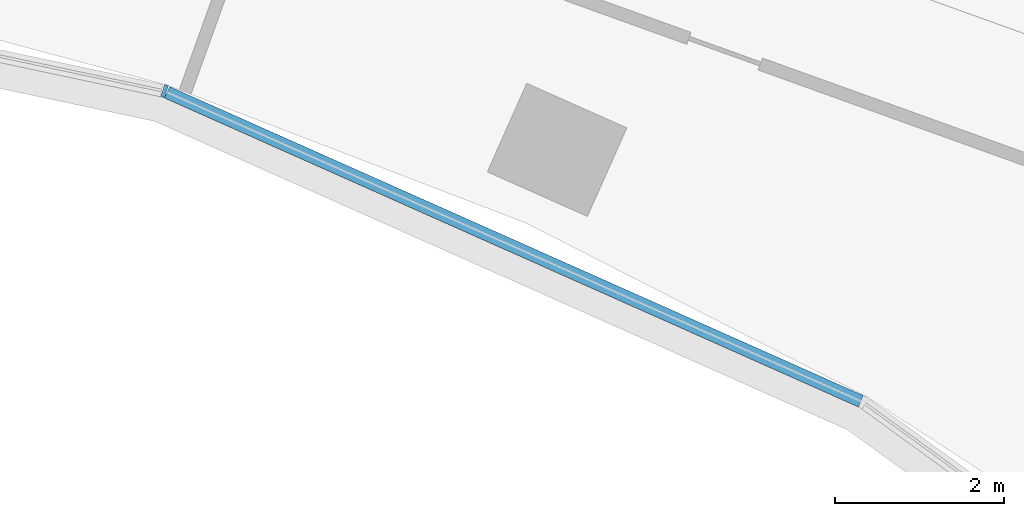
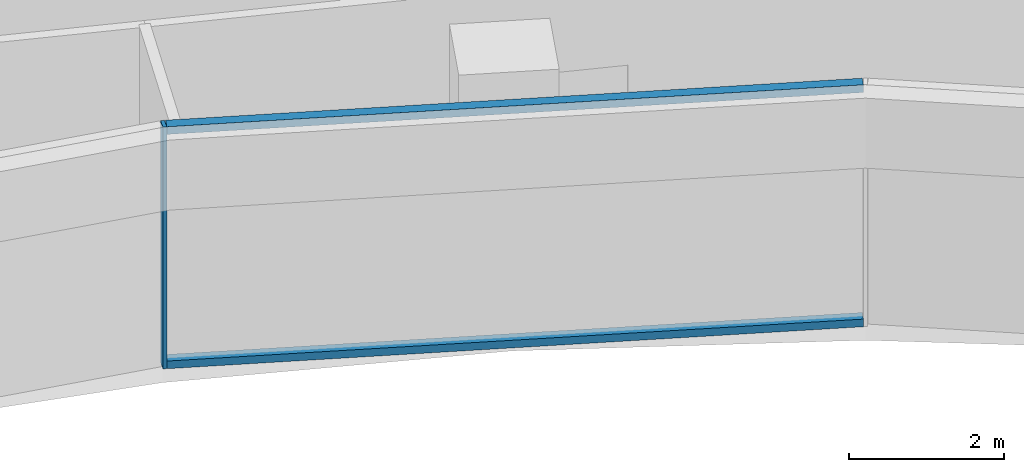
# One storey, part 10 of 23: 3 members, 1 element without a shape of its own.
"""IFC4 building model written with IfcOpenShell, lengths in metres."""

from ifc_helpers import new_model, si_unit, direction, frame, origin, origin_2d, place, context, subcontext, project, spatial, rectangle, extrude, material, layer, layer_set, material_profile, profile_set, type_object, element, aggregate, save


model = new_model("IFC4")

# Units and contexts
model_context = context("Model", 3, precision=1e-05, world=origin(), true_north=direction((0.0, 1.0)))
body_context = subcontext(model_context, "Body", "Model", "MODEL_VIEW")
ifc_project = project(units=[si_unit("LENGTHUNIT", "METRE"), si_unit("AREAUNIT", "SQUARE_METRE"), si_unit("VOLUMEUNIT", "CUBIC_METRE"), si_unit("PLANEANGLEUNIT", "RADIAN"), si_unit("MASSUNIT", "GRAM", prefix="KILO")], contexts=[model_context])

# Site, building, storey
site_placement = place(None, origin())
site = spatial("IfcSite", under=ifc_project, at=site_placement, CompositionType="ELEMENT")
building_placement = place(site_placement, origin())
building = spatial("IfcBuilding", under=site, at=building_placement, Name="Stone Belt Terrace Tower", CompositionType="ELEMENT")
storey_placement = place(building_placement, frame((0.0, 0.0, 98.39990234375)))
storey = spatial("IfcBuildingStorey", under=building, at=storey_placement, Name="L23", CompositionType="ELEMENT", Elevation=98.39990234375)

# Curtain wall, members
ifc_material = material(Name="Aluminium 6063-T6 anodised frame", Category="aluminium")
ifc_layer = layer(ifc_material, 0.14990234375)
ifc_layer_set = layer_set([ifc_layer], Name="CW-B unitised concave-face curtain wall")
curtain_wall_type = type_object("IfcCurtainWallType", Name="CW-B unitised concave-face curtain wall", PredefinedType="NOTDEFINED", material=ifc_layer_set)
curtain_wall_placement = place(storey_placement, origin())
curtain_wall = element("IfcCurtainWall", 1, at=curtain_wall_placement, inside=storey, type_object=curtain_wall_type, Name="CW-B concave face L23", PredefinedType="NOTDEFINED")
ifc_material_profile_1 = material_profile(ifc_material, rectangle(XDim=0.14990234375, YDim=0.050048828125, at=origin_2d()), Name="Aluminium 6063-T6 50x150")
ifc_profile_set_1 = profile_set([ifc_material_profile_1], Name="Aluminium 6063-T6 anodised frame")
member_type_1 = type_object("IfcMemberType", Name="CW-B mullion 50 x 150", PredefinedType="MULLION", material=ifc_profile_set_1)
member_1_placement = place(storey_placement, frame((13.4189453125, 41.29931640625, 0.0), z_axis=(0.0, 0.0, 1.0), x_axis=(0.309016994375, 0.951056516295, 0.0)))
member_1 = element("IfcMember", 2, at=member_1_placement, type_object=member_type_1, Name="CW-B mullion 7", PredefinedType="MULLION", context=body_context, shape_type="SweptSolid", body=[
    extrude(rectangle(XDim=0.14990234375, YDim=0.050048828125, at=origin_2d()), origin(), (0.0, 0.0, 1.0), 3.800048828125),
])
ifc_material_profile_2 = material_profile(ifc_material, rectangle(XDim=0.14990234375, YDim=0.1201171875, at=origin_2d()), Name="Aluminium 6063-T6 150x120")
ifc_profile_set_2 = profile_set([ifc_material_profile_2], Name="Aluminium 6063-T6 anodised frame")
member_type_2 = type_object("IfcMemberType", Name="CW-B transom 120 x 150", PredefinedType="USERDEFINED", material=ifc_profile_set_2)
member_2_placement = place(storey_placement, frame((13.44873046875, 41.285888671875, 0.06005859375), z_axis=(0.913548853737, -0.406729015237, 0.0), x_axis=(0.406729015237, 0.913548853737, 0.0)))
member_2 = element("IfcMember", 3, at=member_2_placement, type_object=member_type_2, Name="CW-B transom 7.1", ObjectType="TRANSOM", PredefinedType="USERDEFINED", context=body_context, shape_type="SweptSolid", body=[
    extrude(rectangle(XDim=0.14990234375, YDim=0.1201171875, at=origin_2d()), origin(), (0.0, 0.0, 1.0), 9.0126953125),
])
member_3_placement = place(storey_placement, frame((13.44873046875, 41.285888671875, 3.739990234375), z_axis=(0.913548853737, -0.406729015237, 0.0), x_axis=(0.406729015237, 0.913548853737, 0.0)))
member_3 = element("IfcMember", 4, at=member_3_placement, type_object=member_type_2, Name="CW-B transom 7.2", ObjectType="TRANSOM", PredefinedType="USERDEFINED", context=body_context, shape_type="SweptSolid", body=[
    extrude(rectangle(XDim=0.14990234375, YDim=0.1201171875, at=origin_2d()), origin(), (0.0, 0.0, 1.0), 9.0126953125),
])
aggregate(curtain_wall, [member_1, member_2, member_3])

save(model, "model.ifc")
